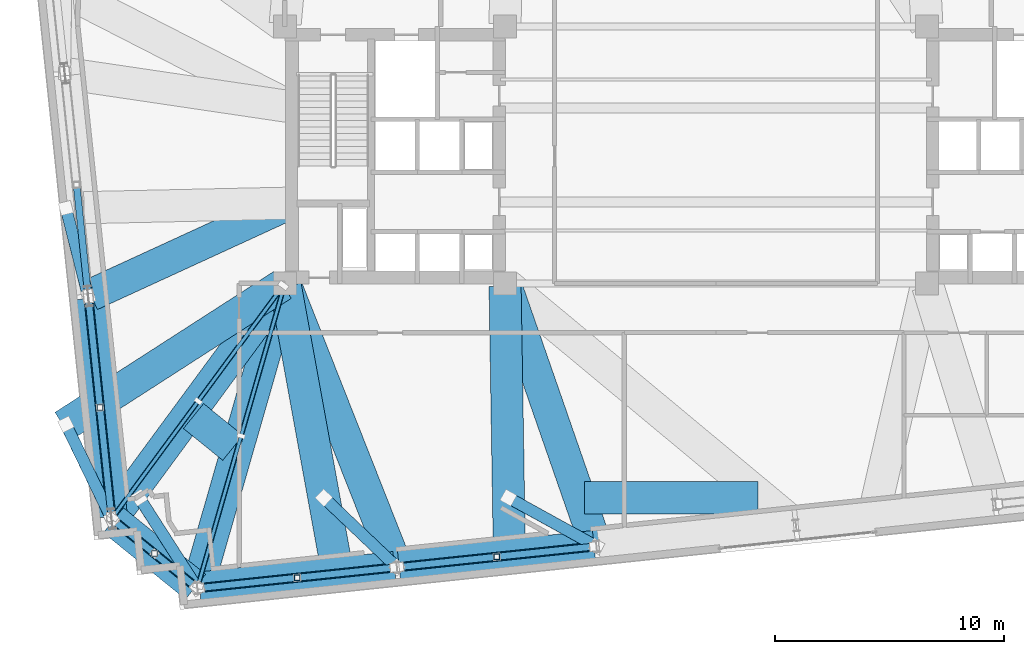
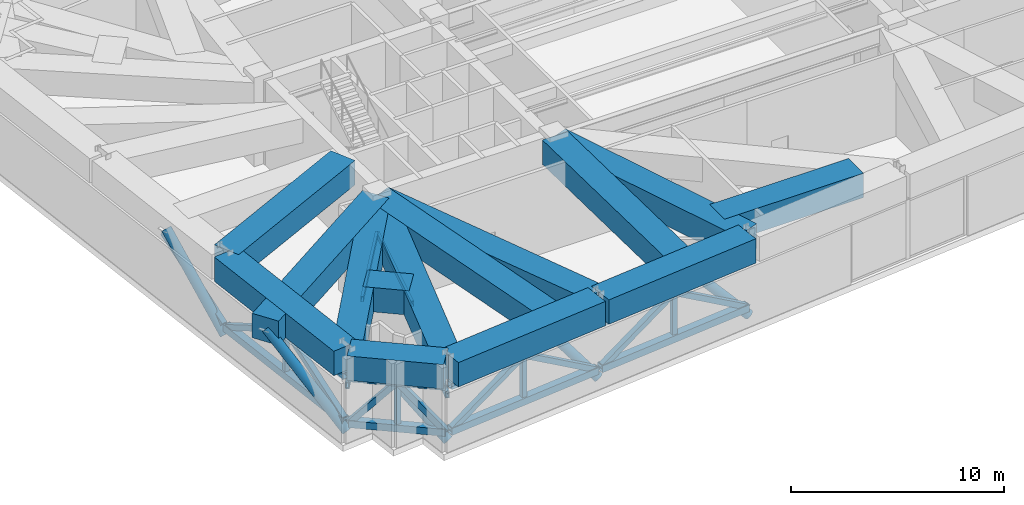
# One storey, part 4 of 23: 32 members, 14 beams.
"""IFC4 building model written with IfcOpenShell, lengths in metres."""

from ifc_helpers import new_model, si_unit, direction, frame, origin, origin_2d, place, context, subcontext, project, spatial, rectangle, hollow_rectangle, hollow_circle, extrude, material, material_profile, profile_set, type_object, element, save


model = new_model("IFC4")

# Units and contexts
model_context = context("Model", 3, precision=1e-05, world=origin(), true_north=direction((0.0, 1.0)))
body_context = subcontext(model_context, "Body", "Model", "MODEL_VIEW")
ifc_project = project(units=[si_unit("LENGTHUNIT", "METRE"), si_unit("AREAUNIT", "SQUARE_METRE"), si_unit("VOLUMEUNIT", "CUBIC_METRE"), si_unit("PLANEANGLEUNIT", "RADIAN"), si_unit("MASSUNIT", "GRAM", prefix="KILO")], contexts=[model_context])

# Site, building, storey
site_placement = place(None, origin())
site = spatial("IfcSite", under=ifc_project, at=site_placement, CompositionType="ELEMENT")
building_placement = place(site_placement, origin())
building = spatial("IfcBuilding", under=site, at=building_placement, Name="Qobustan Lattice House", CompositionType="ELEMENT")
storey_placement = place(building_placement, frame((0.0, 0.0, 125.89990234375)))
storey = spatial("IfcBuildingStorey", under=building, at=storey_placement, Name="L35", CompositionType="ELEMENT", Elevation=125.89990234375)

# Beams
ifc_material_1 = material(Name="Concrete C60/75", Category="concrete")
ifc_material_profile_1 = material_profile(ifc_material_1, rectangle(XDim=1.39990234375, YDim=1.39990234375, at=origin_2d()), Name="RC1400x1400")
ifc_profile_set_1 = profile_set([ifc_material_profile_1], Name="Concrete C60/75")
beam_type = type_object("IfcBeamType", Name="BM-TRG-RC1400", PredefinedType="USERDEFINED", material=ifc_profile_set_1)
for number, where, z_axis, x_axis, name in (
    (1, (-22.52001953125, -18.884521484375, 4.1201171875), (0.994523900076, 0.104509387989, 0.0), (-0.104509387989, 0.994523900076, 0.0), "L35 TT2 lower perimeter transfer girder S1-S2"),
    (2, (-13.81787109375, -17.969970703125, 4.1201171875), (0.994520931815, 0.104537630462, 0.0), (-0.104537630462, 0.994520931815, 0.0), "L35 TT2 lower perimeter transfer girder S2-S3"),
):
    element("IfcBeam", number, at=place(storey_placement, frame(where, z_axis=z_axis, x_axis=x_axis)), inside=storey, type_object=beam_type, Name=name, ObjectType="GIRDER", PredefinedType="USERDEFINED", context=body_context, shape_type="SweptSolid", body=[
        extrude(rectangle(XDim=1.39990234375, YDim=1.39990234375, at=origin_2d()), origin(), (0.0, 0.0, 1.0), 8.550048828125),
    ])
beam_1_placement = place(storey_placement, frame((-27.36669921875, -6.25537109375, 4.1201171875), z_axis=(0.104530683287, -0.994521662032, 0.0), x_axis=(0.994521662032, 0.104530683287, 0.0)))
element("IfcBeam", 3, at=beam_1_placement, inside=storey, type_object=beam_type, Name="L35 TT2 lower perimeter transfer girder W3-W4", ObjectType="GIRDER", PredefinedType="USERDEFINED", context=body_context, shape_type="SweptSolid", body=[
    extrude(rectangle(XDim=1.39990234375, YDim=1.39990234375, at=origin_2d()), origin(), (0.0, 0.0, 1.0), 9.566650390625),
])
beam_2_placement = place(storey_placement, frame((-26.278564453125, -15.931884765625, 4.1201171875), z_axis=(0.7771387579, -0.629329286597, 0.0), x_axis=(0.629329286597, 0.7771387579, 0.0)))
element("IfcBeam", 4, at=beam_2_placement, inside=storey, type_object=beam_type, Name="L35 TT2 lower perimeter transfer girder W4-S1", ObjectType="GIRDER", PredefinedType="USERDEFINED", context=body_context, shape_type="SweptSolid", body=[
    extrude(rectangle(XDim=1.39990234375, YDim=1.39990234375, at=origin_2d()), origin(), (0.0, 0.0, 1.0), 4.6083984375),
])
beam_3_placement = place(storey_placement, frame((-18.8330078125, -5.71533203125, 4.1201171875), z_axis=(-0.276129911416, -0.961120321303, 0.0), x_axis=(0.961120321303, -0.276129911416, 0.0)))
element("IfcBeam", 5, at=beam_3_placement, inside=storey, type_object=beam_type, Name="L35 TT2 radial transfer girder S1", ObjectType="GIRDER", PredefinedType="USERDEFINED", context=body_context, shape_type="SweptSolid", body=[
    extrude(rectangle(XDim=1.39990234375, YDim=1.39990234375, at=origin_2d()), origin(), (0.0, 0.0, 1.0), 13.593017578125),
])
beam_4_placement = place(storey_placement, frame((-18.756103515625, -5.711669921875, 4.1201171875), z_axis=(0.366886642099, -0.9302656566, 0.0), x_axis=(0.9302656566, 0.366886642099, 0.0)))
element("IfcBeam", 6, at=beam_4_placement, inside=storey, type_object=beam_type, Name="L35 TT2 radial transfer girder S2", ObjectType="GIRDER", PredefinedType="USERDEFINED", context=body_context, shape_type="SweptSolid", body=[
    extrude(rectangle(XDim=1.39990234375, YDim=1.39990234375, at=origin_2d()), origin(), (0.0, 0.0, 1.0), 13.068603515625),
])
beam_5_placement = place(storey_placement, frame((-9.16064453125, -5.71337890625, 4.1201171875), z_axis=(0.328279475674, -0.944580640206, 0.0), x_axis=(0.944580640206, 0.328279475674, 0.0)))
element("IfcBeam", 7, at=beam_5_placement, inside=storey, type_object=beam_type, Name="L35 TT2 radial transfer girder S3", ObjectType="GIRDER", PredefinedType="USERDEFINED", context=body_context, shape_type="SweptSolid", body=[
    extrude(rectangle(XDim=1.39990234375, YDim=1.39990234375, at=origin_2d()), origin(), (0.0, 0.0, 1.0), 11.8984375),
])
beam_6_placement = place(storey_placement, frame((-18.658935546875, -2.150146484375, 4.1201171875), z_axis=(-0.908676051323, -0.417501896706, 0.0), x_axis=(0.417501896706, -0.908676051323, 0.0)))
element("IfcBeam", 8, at=beam_6_placement, inside=storey, type_object=beam_type, Name="L35 TT2 radial transfer girder W3", ObjectType="GIRDER", PredefinedType="USERDEFINED", context=body_context, shape_type="SweptSolid", body=[
    extrude(rectangle(XDim=1.39990234375, YDim=1.39990234375, at=origin_2d()), origin(), (0.0, 0.0, 1.0), 9.474365234375),
])
beam_7_placement = place(storey_placement, frame((-18.87109375, -5.69677734375, 4.1201171875), z_axis=(-0.59268363319, -0.805435354916, 0.0), x_axis=(0.805435354916, -0.59268363319, 0.0)))
element("IfcBeam", 9, at=beam_7_placement, inside=storey, type_object=beam_type, Name="L35 TT2 radial transfer girder W4", ObjectType="GIRDER", PredefinedType="USERDEFINED", context=body_context, shape_type="SweptSolid", body=[
    extrude(rectangle(XDim=1.39990234375, YDim=1.39990234375, at=origin_2d()), origin(), (0.0, 0.0, 1.0), 12.50927734375),
])
beam_8_placement = place(storey_placement, frame((-21.07177734375, -12.773681640625, 4.1201171875), z_axis=(-0.777159750023, 0.629303363208, 0.0), x_axis=(-0.629303363208, -0.777159750023, 0.0)))
element("IfcBeam", 10, at=beam_8_placement, inside=storey, type_object=beam_type, Name="L35 TT2 quadrant transfer tie girder 3", ObjectType="GIRDER", PredefinedType="USERDEFINED", context=body_context, shape_type="SweptSolid", body=[
    extrude(rectangle(XDim=1.39990234375, YDim=1.39990234375, at=origin_2d()), origin(), (0.0, 0.0, 1.0), 2.204345703125),
])
beam_9_placement = place(storey_placement, frame((-18.778564453125, -5.718017578125, 4.1201171875), z_axis=(0.178883722102, -0.983870222116, 0.0), x_axis=(0.983870222116, 0.178883722102, 0.0)))
element("IfcBeam", 11, at=beam_9_placement, inside=storey, type_object=beam_type, Name="L35 TT2 primary column transfer girder S2", ObjectType="GIRDER", PredefinedType="USERDEFINED", context=body_context, shape_type="SweptSolid", body=[
    extrude(rectangle(XDim=1.39990234375, YDim=1.39990234375, at=origin_2d()), origin(), (0.0, 0.0, 1.0), 12.519287109375),
])
beam_10_placement = place(storey_placement, frame((-9.197998046875, -5.719970703125, 4.1201171875), z_axis=(0.016034714787, -0.999871435696, 0.0), x_axis=(0.999871435696, 0.016034714787, 0.0)))
element("IfcBeam", 12, at=beam_10_placement, inside=storey, type_object=beam_type, Name="L35 TT2 primary column transfer girder S3", ObjectType="GIRDER", PredefinedType="USERDEFINED", context=body_context, shape_type="SweptSolid", body=[
    extrude(rectangle(XDim=1.39990234375, YDim=1.39990234375, at=origin_2d()), origin(), (0.0, 0.0, 1.0), 11.52587890625),
])
beam_11_placement = place(storey_placement, frame((-5.730712890625, -14.949951171875, 4.1201171875), z_axis=(1.0, 0.0, 0.0), x_axis=(0.0, 1.0, 0.0)))
element("IfcBeam", 13, at=beam_11_placement, inside=storey, type_object=beam_type, Name="L35 TT2 primary column transfer girder S4", ObjectType="GIRDER", PredefinedType="USERDEFINED", context=body_context, shape_type="SweptSolid", body=[
    extrude(rectangle(XDim=1.39990234375, YDim=1.39990234375, at=origin_2d()), origin(), (0.0, 0.0, 1.0), 7.55322265625),
])
beam_12_placement = place(storey_placement, frame((-18.90087890625, -5.6650390625, 4.1201171875), z_axis=(-0.840754325148, -0.541416812396, 0.0), x_axis=(0.541416812396, -0.840754325148, 0.0)))
element("IfcBeam", 14, at=beam_12_placement, inside=storey, type_object=beam_type, Name="L35 TT2 primary column transfer girder W4", ObjectType="GIRDER", PredefinedType="USERDEFINED", context=body_context, shape_type="SweptSolid", body=[
    extrude(rectangle(XDim=1.39990234375, YDim=1.39990234375, at=origin_2d()), origin(), (0.0, 0.0, 1.0), 11.35888671875),
])

# Members
ifc_material_2 = material(Name="Steel S355", Category="steel")
ifc_material_profile_2 = material_profile(ifc_material_2, hollow_rectangle(XDim=0.14990234375, YDim=0.300048828125, WallThickness=0.012451171875, at=origin_2d()), Name="RHS300x150x12.5")
ifc_profile_set_2 = profile_set([ifc_material_profile_2], Name="Steel S355")
member_type_1 = type_object("IfcMemberType", Name="MEM-BRC-RHS300", PredefinedType="BRACE", material=ifc_profile_set_2)
member_1_placement = place(storey_placement, frame((-18.87109375, -5.69677734375, 2.550048828125), z_axis=(-0.590054252466, -0.801881552926, 0.093925258707), x_axis=(0.805442210467, -0.592674316634, 0.0)))
element("IfcMember", 15, at=member_1_placement, inside=storey, type_object=member_type_1, Name="L35 TT2 outrigger diagonal OUT-WS-1", PredefinedType="BRACE", context=body_context, shape_type="SweptSolid", body=[
    extrude(hollow_rectangle(XDim=0.14990234375, YDim=0.300048828125, WallThickness=0.012451171875, at=origin_2d()), origin(), (0.0, 0.0, 1.0), 6.282470703125),
])
member_2_placement = place(storey_placement, frame((-22.578125, -10.734619140625, 3.14013671875), z_axis=(-0.590072639755, -0.801867679709, -0.093928185609), x_axis=(0.805428499042, -0.592692949959, 0.0)))
element("IfcMember", 16, at=member_2_placement, inside=storey, type_object=member_type_1, Name="L35 TT2 outrigger diagonal OUT-WS-2", PredefinedType="BRACE", context=body_context, shape_type="SweptSolid", body=[
    extrude(hollow_rectangle(XDim=0.14990234375, YDim=0.300048828125, WallThickness=0.012451171875, at=origin_2d()), origin(), (0.0, 0.0, 1.0), 6.2822265625),
])
for number, where, z_axis, x_axis, name in (
    (17, (-18.8330078125, -5.71533203125, 2.550048828125), (-0.275095000413, -0.957518125544, 0.086497283205), (0.961120321303, -0.276129911416, 0.0), "L35 TT2 outrigger diagonal OUT-WN-1"),
    (18, (-20.709716796875, -12.24755859375, 3.14013671875), (-0.275095000413, -0.957518125544, -0.086497283205), (0.961120321303, -0.276129911416, 0.0), "L35 TT2 outrigger diagonal OUT-WN-2"),
):
    element("IfcMember", number, at=place(storey_placement, frame(where, z_axis=z_axis, x_axis=x_axis)), inside=storey, type_object=member_type_1, Name=name, PredefinedType="BRACE", context=body_context, shape_type="SweptSolid", body=[
        extrude(hollow_rectangle(XDim=0.14990234375, YDim=0.300048828125, WallThickness=0.012451171875, at=origin_2d()), origin(), (0.0, 0.0, 1.0), 6.822021484375),
    ])
ifc_material_3 = material(Name="Steel S355", Category="steel")
ifc_material_profile_3 = material_profile(ifc_material_3, hollow_rectangle(XDim=0.300048828125, YDim=0.300048828125, WallThickness=0.01611328125, at=origin_2d()), Name="SHS300x300x16")
ifc_profile_set_3 = profile_set([ifc_material_profile_3], Name="Steel S355")
member_type_2 = type_object("IfcMemberType", Name="MEM-BRC-SHS300", PredefinedType="BRACE", material=ifc_profile_set_3)
member_3_placement = place(storey_placement, frame((-22.52001953125, -18.884521484375, 0.550048828125), z_axis=(0.850580197044, 0.089385652957, 0.518192564054), x_axis=(-0.104512355942, 0.994523588185, 0.0)))
element("IfcMember", 19, at=member_3_placement, inside=storey, type_object=member_type_2, Name="L35 TT2 belt truss web diagonal S1-S2 A", PredefinedType="BRACE", context=body_context, shape_type="SweptSolid", body=[
    extrude(hollow_rectangle(XDim=0.300048828125, YDim=0.300048828125, WallThickness=0.01611328125, at=origin_2d()), origin(), (0.0, 0.0, 1.0), 4.998291015625),
])
member_4_placement = place(storey_placement, frame((-18.2685546875, -18.437744140625, 3.14013671875), z_axis=(0.850593702391, 0.089381939442, -0.518171035812), x_axis=(-0.104506420204, 0.994524211941, 0.0)))
element("IfcMember", 20, at=member_4_placement, inside=storey, type_object=member_type_2, Name="L35 TT2 belt truss web diagonal S1-S2 B", PredefinedType="BRACE", context=body_context, shape_type="SweptSolid", body=[
    extrude(hollow_rectangle(XDim=0.300048828125, YDim=0.300048828125, WallThickness=0.01611328125, at=origin_2d()), origin(), (0.0, 0.0, 1.0), 4.99853515625),
])
member_5_placement = place(storey_placement, frame((-13.81787109375, -17.969970703125, 0.550048828125), z_axis=(0.850576482414, 0.089434107, 0.518190301018), x_axis=(-0.104568842204, 0.994517650542, 0.0)))
element("IfcMember", 21, at=member_5_placement, inside=storey, type_object=member_type_2, Name="L35 TT2 belt truss web diagonal S2-S3 A", PredefinedType="BRACE", context=body_context, shape_type="SweptSolid", body=[
    extrude(hollow_rectangle(XDim=0.300048828125, YDim=0.300048828125, WallThickness=0.01611328125, at=origin_2d()), origin(), (0.0, 0.0, 1.0), 4.998291015625),
])
member_6_placement = place(storey_placement, frame((-9.56640625, -17.52294921875, 3.14013671875), z_axis=(0.850593702391, 0.089381939442, -0.518171035812), x_axis=(-0.104506420204, 0.994524211941, 0.0)))
element("IfcMember", 22, at=member_6_placement, inside=storey, type_object=member_type_2, Name="L35 TT2 belt truss web diagonal S2-S3 B", PredefinedType="BRACE", context=body_context, shape_type="SweptSolid", body=[
    extrude(hollow_rectangle(XDim=0.300048828125, YDim=0.300048828125, WallThickness=0.01611328125, at=origin_2d()), origin(), (0.0, 0.0, 1.0), 4.99853515625),
])
for number, where, z_axis, x_axis, name in (
    (23, (-27.887451171875, -1.29931640625, 3.14013671875), (0.091875389616, -0.874544194754, -0.476163169728), (0.994526966836, 0.104480200211, 0.0), "L35 TT2 belt truss web diagonal W2-W3 B"),
    (24, (-27.36669921875, -6.25537109375, 0.550048828125), (0.091919893425, -0.874540587592, 0.476161205736), (0.994521662032, 0.104530683287, 0.0), "L35 TT2 belt truss web diagonal W3-W4 A"),
    (25, (-26.86669921875, -11.012451171875, 3.14013671875), (0.091919893425, -0.874540587592, -0.476161205736), (0.994521662032, 0.104530683287, 0.0), "L35 TT2 belt truss web diagonal W3-W4 B"),
):
    element("IfcMember", number, at=place(storey_placement, frame(where, z_axis=z_axis, x_axis=x_axis)), inside=storey, type_object=member_type_2, Name=name, PredefinedType="BRACE", context=body_context, shape_type="SweptSolid", body=[
        extrude(hollow_rectangle(XDim=0.300048828125, YDim=0.300048828125, WallThickness=0.01611328125, at=origin_2d()), origin(), (0.0, 0.0, 1.0), 5.439453125),
    ])
member_7_placement = place(storey_placement, frame((-26.278564453125, -15.931884765625, 0.550048828125), z_axis=(0.516553515012, -0.418313275961, 0.747118778564), x_axis=(0.629335371662, 0.777133830158, 0.0)))
element("IfcMember", 26, at=member_7_placement, inside=storey, type_object=member_type_2, Name="L35 TT2 belt truss web diagonal W4-S1 A", PredefinedType="BRACE", context=body_context, shape_type="SweptSolid", body=[
    extrude(hollow_rectangle(XDim=0.300048828125, YDim=0.300048828125, WallThickness=0.01611328125, at=origin_2d()), origin(), (0.0, 0.0, 1.0), 3.466796875),
])
member_8_placement = place(storey_placement, frame((-24.48779296875, -17.382080078125, 3.14013671875), z_axis=(0.516517095997, -0.418270389027, -0.747167967198), x_axis=(0.629323200588, 0.77714368633, 0.0)))
element("IfcMember", 27, at=member_8_placement, inside=storey, type_object=member_type_2, Name="L35 TT2 belt truss web diagonal W4-S1 B", PredefinedType="BRACE", context=body_context, shape_type="SweptSolid", body=[
    extrude(hollow_rectangle(XDim=0.300048828125, YDim=0.300048828125, WallThickness=0.01611328125, at=origin_2d()), origin(), (0.0, 0.0, 1.0), 3.466552734375),
])
ifc_material_4 = material(Name="Steel S355", Category="steel")
ifc_material_profile_4 = material_profile(ifc_material_4, hollow_rectangle(XDim=0.199951171875, YDim=0.39990234375, WallThickness=0.01611328125, at=origin_2d()), Name="RHS400x200x16")
ifc_profile_set_4 = profile_set([ifc_material_profile_4], Name="Steel S355")
member_type_3 = type_object("IfcMemberType", Name="MEM-CHD-RHS400", PredefinedType="CHORD", material=ifc_profile_set_4)
member_9_placement = place(storey_placement, frame((-18.87109375, -5.69677734375, 2.550048828125), z_axis=(-0.59268363319, -0.805435354916, 0.0), x_axis=(0.805435354916, -0.59268363319, 0.0)))
element("IfcMember", 28, at=member_9_placement, inside=storey, type_object=member_type_3, Name="L35 TT2 outrigger chord OUT-WS", PredefinedType="CHORD", context=body_context, shape_type="SweptSolid", body=[
    extrude(hollow_rectangle(XDim=0.199951171875, YDim=0.39990234375, WallThickness=0.01611328125, at=origin_2d()), origin(), (0.0, 0.0, 1.0), 12.50927734375),
])
member_10_placement = place(storey_placement, frame((-18.8330078125, -5.71533203125, 2.550048828125), z_axis=(-0.276129911416, -0.961120321303, 0.0), x_axis=(0.961120321303, -0.276129911416, 0.0)))
element("IfcMember", 29, at=member_10_placement, inside=storey, type_object=member_type_3, Name="L35 TT2 outrigger chord OUT-WN", PredefinedType="CHORD", context=body_context, shape_type="SweptSolid", body=[
    extrude(hollow_rectangle(XDim=0.199951171875, YDim=0.39990234375, WallThickness=0.01611328125, at=origin_2d()), origin(), (0.0, 0.0, 1.0), 13.593017578125),
])
ifc_material_5 = material(Name="Steel S355", Category="steel")
ifc_material_profile_5 = material_profile(ifc_material_5, hollow_rectangle(XDim=0.35009765625, YDim=0.35009765625, WallThickness=0.01611328125, at=origin_2d()), Name="SHS350x350x16")
ifc_profile_set_5 = profile_set([ifc_material_profile_5], Name="Steel S355")
member_type_4 = type_object("IfcMemberType", Name="MEM-CHD-SHS350", PredefinedType="CHORD", material=ifc_profile_set_5)
for number, where, z_axis, x_axis, name in (
    (30, (-22.52001953125, -18.884521484375, 3.14013671875), (0.994523900076, 0.104509387989, 0.0), (-0.104509387989, 0.994523900076, 0.0), "L35 TT2 belt truss top chord S1-S2"),
    (31, (-13.81787109375, -17.969970703125, 3.14013671875), (0.994520931815, 0.104537630462, 0.0), (-0.104537630462, 0.994520931815, 0.0), "L35 TT2 belt truss top chord S2-S3"),
):
    element("IfcMember", number, at=place(storey_placement, frame(where, z_axis=z_axis, x_axis=x_axis)), inside=storey, type_object=member_type_4, Name=name, PredefinedType="CHORD", context=body_context, shape_type="SweptSolid", body=[
        extrude(hollow_rectangle(XDim=0.35009765625, YDim=0.35009765625, WallThickness=0.01611328125, at=origin_2d()), origin(), (0.0, 0.0, 1.0), 8.550048828125),
    ])
member_11_placement = place(storey_placement, frame((-27.36669921875, -6.25537109375, 3.14013671875), z_axis=(0.104530683287, -0.994521662032, 0.0), x_axis=(0.994521662032, 0.104530683287, 0.0)))
element("IfcMember", 32, at=member_11_placement, inside=storey, type_object=member_type_4, Name="L35 TT2 belt truss top chord W3-W4", PredefinedType="CHORD", context=body_context, shape_type="SweptSolid", body=[
    extrude(hollow_rectangle(XDim=0.35009765625, YDim=0.35009765625, WallThickness=0.01611328125, at=origin_2d()), origin(), (0.0, 0.0, 1.0), 9.566650390625),
])
member_12_placement = place(storey_placement, frame((-26.278564453125, -15.931884765625, 3.14013671875), z_axis=(0.7771387579, -0.629329286597, 0.0), x_axis=(0.629329286597, 0.7771387579, 0.0)))
element("IfcMember", 33, at=member_12_placement, inside=storey, type_object=member_type_4, Name="L35 TT2 belt truss top chord W4-S1", PredefinedType="CHORD", context=body_context, shape_type="SweptSolid", body=[
    extrude(hollow_rectangle(XDim=0.35009765625, YDim=0.35009765625, WallThickness=0.01611328125, at=origin_2d()), origin(), (0.0, 0.0, 1.0), 4.6083984375),
])
ifc_material_6 = material(Name="Steel S355", Category="steel")
ifc_material_profile_6 = material_profile(ifc_material_6, hollow_rectangle(XDim=0.39990234375, YDim=0.39990234375, WallThickness=0.02001953125, at=origin_2d()), Name="SHS400x400x20")
ifc_profile_set_6 = profile_set([ifc_material_profile_6], Name="Steel S355")
member_type_5 = type_object("IfcMemberType", Name="MEM-CHD-SHS400", PredefinedType="CHORD", material=ifc_profile_set_6)
for number, where, z_axis, x_axis, name in (
    (34, (-22.52001953125, -18.884521484375, 0.550048828125), (0.994523900076, 0.104509387989, 0.0), (-0.104509387989, 0.994523900076, 0.0), "L35 TT2 belt truss bottom chord S1-S2"),
    (35, (-13.81787109375, -17.969970703125, 0.550048828125), (0.994520931815, 0.104537630462, 0.0), (-0.104537630462, 0.994520931815, 0.0), "L35 TT2 belt truss bottom chord S2-S3"),
):
    element("IfcMember", number, at=place(storey_placement, frame(where, z_axis=z_axis, x_axis=x_axis)), inside=storey, type_object=member_type_5, Name=name, PredefinedType="CHORD", context=body_context, shape_type="SweptSolid", body=[
        extrude(hollow_rectangle(XDim=0.39990234375, YDim=0.39990234375, WallThickness=0.02001953125, at=origin_2d()), origin(), (0.0, 0.0, 1.0), 8.550048828125),
    ])
member_13_placement = place(storey_placement, frame((-27.36669921875, -6.25537109375, 0.550048828125), z_axis=(0.104530683287, -0.994521662032, 0.0), x_axis=(0.994521662032, 0.104530683287, 0.0)))
element("IfcMember", 36, at=member_13_placement, inside=storey, type_object=member_type_5, Name="L35 TT2 belt truss bottom chord W3-W4", PredefinedType="CHORD", context=body_context, shape_type="SweptSolid", body=[
    extrude(hollow_rectangle(XDim=0.39990234375, YDim=0.39990234375, WallThickness=0.02001953125, at=origin_2d()), origin(), (0.0, 0.0, 1.0), 9.566650390625),
])
member_14_placement = place(storey_placement, frame((-26.278564453125, -15.931884765625, 0.550048828125), z_axis=(0.7771387579, -0.629329286597, 0.0), x_axis=(0.629329286597, 0.7771387579, 0.0)))
element("IfcMember", 37, at=member_14_placement, inside=storey, type_object=member_type_5, Name="L35 TT2 belt truss bottom chord W4-S1", PredefinedType="CHORD", context=body_context, shape_type="SweptSolid", body=[
    extrude(hollow_rectangle(XDim=0.39990234375, YDim=0.39990234375, WallThickness=0.02001953125, at=origin_2d()), origin(), (0.0, 0.0, 1.0), 4.6083984375),
])
ifc_material_7 = material(Name="Steel S355", Category="steel")
ifc_material_profile_7 = material_profile(ifc_material_7, hollow_rectangle(XDim=0.25, YDim=0.25, WallThickness=0.012451171875, at=origin_2d()), Name="SHS250x250x12.5")
ifc_profile_set_7 = profile_set([ifc_material_profile_7], Name="Steel S355")
member_type_6 = type_object("IfcMemberType", Name="MEM-PST-SHS250", PredefinedType="POST", material=ifc_profile_set_7)
for number, where, z_axis, x_axis, name in (
    (38, (-18.2685546875, -18.437744140625, 0.550048828125), (0.0, 0.0, 1.0), (1.0, 0.0, 0.0), "L35 TT2 belt truss vertical post S1-S2"),
    (39, (-9.56640625, -17.52294921875, 0.550048828125), (0.0, 0.0, 1.0), (1.0, 0.0, 0.0), "L35 TT2 belt truss vertical post S2-S3"),
    (40, (-26.86669921875, -11.012451171875, 0.550048828125), (0.0, 0.0, 1.0), (1.0, 0.0, 0.0), "L35 TT2 belt truss vertical post W3-W4"),
    (41, (-24.48779296875, -17.382080078125, 0.550048828125), (0.0, 0.0, 1.0), (1.0, 0.0, 0.0), "L35 TT2 belt truss vertical post W4-S1"),
):
    element("IfcMember", number, at=place(storey_placement, frame(where, z_axis=z_axis, x_axis=x_axis)), inside=storey, type_object=member_type_6, Name=name, PredefinedType="POST", context=body_context, shape_type="SweptSolid", body=[
        extrude(hollow_rectangle(XDim=0.25, YDim=0.25, WallThickness=0.012451171875, at=origin_2d()), origin(), (0.0, 0.0, 1.0), 2.590087890625),
    ])
ifc_material_8 = material(Name="Steel S355", Category="steel")
ifc_material_profile_8 = material_profile(ifc_material_8, hollow_circle(Radius=0.25390625, WallThickness=0.02001953125, at=origin_2d()), Name="CHS508x20")
ifc_profile_set_8 = profile_set([ifc_material_profile_8], Name="Steel S355")
member_type_7 = type_object("IfcMemberType", Name="MEM-STR-CHS508", PredefinedType="STRUT", material=ifc_profile_set_8)
member_15_placement = place(storey_placement, frame((-22.619384765625, -18.89501953125, 0.01513671875), z_axis=(-0.4061561842, 0.63319611968, 0.658862525917), x_axis=(-0.841721328239, -0.539912220261, 0.0)))
element("IfcMember", 42, at=member_15_placement, inside=storey, type_object=member_type_7, Name="L35 TT2 column transfer strut S1", PredefinedType="STRUT", context=body_context, shape_type="SweptSolid", body=[
    extrude(hollow_circle(Radius=0.25390625, WallThickness=0.02001953125, at=origin_2d()), origin(), (0.0, 0.0, 1.0), 6.23046875),
])
member_16_placement = place(storey_placement, frame((-13.91748046875, -17.98046875, 0.01513671875), z_axis=(-0.529232434091, 0.503940027952, 0.682610781437), x_axis=(-0.689589971459, -0.724200021585, 0.0)))
element("IfcMember", 43, at=member_16_placement, inside=storey, type_object=member_type_7, Name="L35 TT2 column transfer strut S2", PredefinedType="STRUT", context=body_context, shape_type="SweptSolid", body=[
    extrude(hollow_circle(Radius=0.25390625, WallThickness=0.02001953125, at=origin_2d()), origin(), (0.0, 0.0, 1.0), 6.013671875),
])
member_17_placement = place(storey_placement, frame((-5.21533203125, -17.065673828125, 0.01513671875), z_axis=(-0.638833830034, 0.352462849117, 0.683857644248), x_axis=(-0.483080290193, -0.875576057934, 0.0)))
element("IfcMember", 44, at=member_17_placement, inside=storey, type_object=member_type_7, Name="L35 TT2 column transfer strut S3", PredefinedType="STRUT", context=body_context, shape_type="SweptSolid", body=[
    extrude(hollow_circle(Radius=0.25390625, WallThickness=0.02001953125, at=origin_2d()), origin(), (0.0, 0.0, 1.0), 6.002685546875),
])
member_18_placement = place(storey_placement, frame((-27.377197265625, -6.156005859375, 0.01513671875), z_axis=(-0.17055820436, 0.673073606464, 0.719640062259), x_axis=(-0.969361587546, -0.24563817413, 0.0)))
element("IfcMember", 45, at=member_18_placement, inside=storey, type_object=member_type_7, Name="L35 TT2 column transfer strut W3", PredefinedType="STRUT", context=body_context, shape_type="SweptSolid", body=[
    extrude(hollow_circle(Radius=0.25390625, WallThickness=0.02001953125, at=origin_2d()), origin(), (0.0, 0.0, 1.0), 5.7041015625),
])
member_19_placement = place(storey_placement, frame((-26.356201171875, -15.868896484375, 0.01513671875), z_axis=(-0.324342486123, 0.670011275056, 0.667747589283), x_axis=(-0.900083664869, -0.435717105743, 0.0)))
element("IfcMember", 46, at=member_19_placement, inside=storey, type_object=member_type_7, Name="L35 TT2 column transfer strut W4", PredefinedType="STRUT", context=body_context, shape_type="SweptSolid", body=[
    extrude(hollow_circle(Radius=0.25390625, WallThickness=0.02001953125, at=origin_2d()), origin(), (0.0, 0.0, 1.0), 6.1474609375),
])

save(model, "model.ifc")
